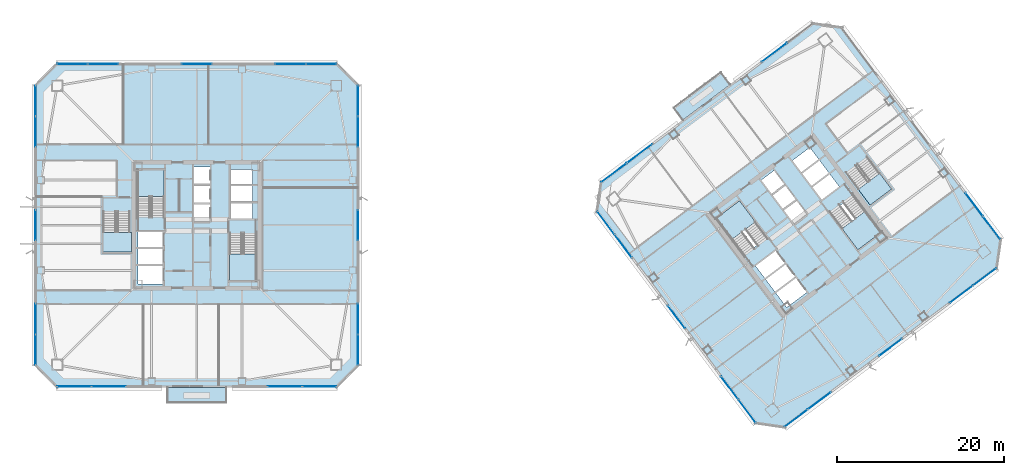
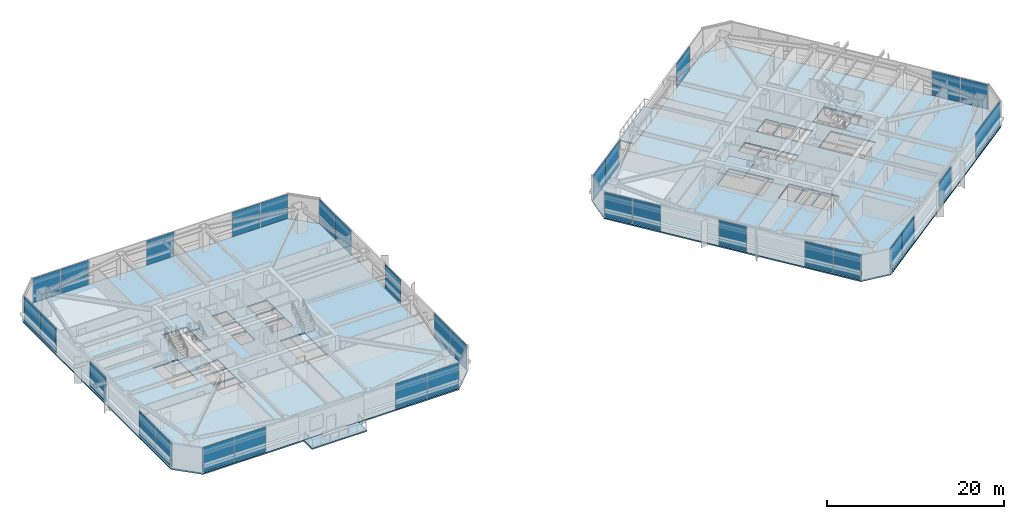
# One storey, part 34 of 48: 34 plates, 10 slabs, 26 elements without a shape of their own.
"""IFC4 building model written with IfcOpenShell, lengths in metres."""

from ifc_helpers import new_model, si_unit, direction, frame, origin, origin_2d, place, context, subcontext, project, spatial, polyline, rectangle, outline, extrude, material, layer, layer_set, type_object, element, aggregate, save


model = new_model("IFC4")

# Units and contexts
model_context = context("Model", 3, precision=1e-05, world=origin(), true_north=direction((0.0, 1.0)))
body_context = subcontext(model_context, "Body", "Model", "MODEL_VIEW")
ifc_project = project(units=[si_unit("LENGTHUNIT", "METRE"), si_unit("AREAUNIT", "SQUARE_METRE"), si_unit("VOLUMEUNIT", "CUBIC_METRE"), si_unit("PLANEANGLEUNIT", "RADIAN"), si_unit("MASSUNIT", "GRAM", prefix="KILO")], contexts=[model_context])

# Site, building, storey
site_placement = place(None, origin())
site = spatial("IfcSite", under=ifc_project, at=site_placement, CompositionType="ELEMENT")
building_placement = place(site_placement, origin())
building = spatial("IfcBuilding", under=site, at=building_placement, Name="Tashvorn Skyway Center", CompositionType="ELEMENT")
storey_placement = place(building_placement, frame((0.0, 0.0, 125.050048828125)))
storey = spatial("IfcBuildingStorey", under=building, at=storey_placement, Name="L33", CompositionType="ELEMENT", Elevation=125.050048828125)

# Curtain wall, plates
ifc_material_1 = material(Name="Thermally broken bronze-anodized aluminium 6063-T6", Category="aluminium")
curtain_wall_type = type_object("IfcCurtainWallType", Name="CW-CW-Z3", PredefinedType="NOTDEFINED", material=ifc_material_1)
curtain_wall_1_placement = place(storey_placement, origin())
curtain_wall_1 = element("IfcCurtainWall", 1, at=curtain_wall_1_placement, inside=storey, type_object=curtain_wall_type, Name="Tower 1 L33 South Curtain Wall L Glazing Group 1", PredefinedType="NOTDEFINED")
ifc_material_2 = material(Name="Low-E solar-control double insulating safety glass", Category="glass")
ifc_layer_1 = layer(ifc_material_2, 0.0400390625)
ifc_layer_set_1 = layer_set([ifc_layer_1], Name="Low-E solar-control double insulating safety glass")
plate_type = type_object("IfcPlateType", Name="CWP-CW-Z3", PredefinedType="CURTAIN_PANEL", material=ifc_layer_set_1)
plate_1_placement = place(storey_placement, frame((56.6728515625, 12.719970703125, 0.074951171875), z_axis=(0.0, 0.0, 1.0), x_axis=(-1.0, 0.0, 0.0)))
plate_1 = element("IfcPlate", 2, at=plate_1_placement, type_object=plate_type, Name="CW-Z3 panel 1.1", PredefinedType="CURTAIN_PANEL", context=body_context, shape_type="SweptSolid", body=[
    extrude(rectangle(XDim=4.064208984375, YDim=0.0400390625, at=origin_2d()), origin(), (0.0, 0.0, 1.0), 3.39990234375),
])
plate_2_placement = place(storey_placement, frame((52.53369140625, 12.719970703125, 0.074951171875), z_axis=(0.0, 0.0, 1.0), x_axis=(-1.0, 0.0, 0.0)))
plate_2 = element("IfcPlate", 3, at=plate_2_placement, type_object=plate_type, Name="CW-Z3 panel 2.1", PredefinedType="CURTAIN_PANEL", context=body_context, shape_type="SweptSolid", body=[
    extrude(rectangle(XDim=4.064208984375, YDim=0.0400390625, at=origin_2d()), origin(), (0.0, 0.0, 1.0), 3.39990234375),
])
aggregate(curtain_wall_1, [plate_1, plate_2])

curtain_wall_2_placement = place(storey_placement, origin())
curtain_wall_2 = element("IfcCurtainWall", 4, at=curtain_wall_2_placement, inside=storey, type_object=curtain_wall_type, Name="Tower 1 L33 South Curtain Wall R Glazing Group 1", PredefinedType="NOTDEFINED")
plate_3_placement = place(storey_placement, frame((31.46630859375, 12.719970703125, 0.074951171875), z_axis=(0.0, 0.0, 1.0), x_axis=(-1.0, 0.0, 0.0)))
plate_3 = element("IfcPlate", 5, at=plate_3_placement, type_object=plate_type, Name="CW-Z3 panel 1.1", PredefinedType="CURTAIN_PANEL", context=body_context, shape_type="SweptSolid", body=[
    extrude(rectangle(XDim=4.064208984375, YDim=0.0400390625, at=origin_2d()), origin(), (0.0, 0.0, 1.0), 3.39990234375),
])
plate_4_placement = place(storey_placement, frame((27.3271484375, 12.719970703125, 0.074951171875), z_axis=(0.0, 0.0, 1.0), x_axis=(-1.0, 0.0, 0.0)))
plate_4 = element("IfcPlate", 6, at=plate_4_placement, type_object=plate_type, Name="CW-Z3 panel 2.1", PredefinedType="CURTAIN_PANEL", context=body_context, shape_type="SweptSolid", body=[
    extrude(rectangle(XDim=4.064208984375, YDim=0.0400390625, at=origin_2d()), origin(), (0.0, 0.0, 1.0), 3.39990234375),
])
aggregate(curtain_wall_2, [plate_3, plate_4])

curtain_wall_3_placement = place(storey_placement, origin())
curtain_wall_3 = element("IfcCurtainWall", 7, at=curtain_wall_3_placement, inside=storey, type_object=curtain_wall_type, Name="Tower 1 L33 West Unitised Curtain Wall Glazing Group 1", PredefinedType="NOTDEFINED")
plate_5_placement = place(storey_placement, frame((22.719970703125, 17.103271484375, 0.074951171875), z_axis=(0.0, 0.0, 1.0), x_axis=(0.0, 1.0, 0.0)))
plate_5 = element("IfcPlate", 8, at=plate_5_placement, type_object=plate_type, Name="CW-Z3 panel 1.1", PredefinedType="CURTAIN_PANEL", context=body_context, shape_type="SweptSolid", body=[
    extrude(rectangle(XDim=3.616455078125, YDim=0.0400390625, at=origin_2d()), origin(), (0.0, 0.0, 1.0), 3.39990234375),
])
plate_6_placement = place(storey_placement, frame((22.719970703125, 20.794677734375, 0.074951171875), z_axis=(0.0, 0.0, 1.0), x_axis=(0.0, 1.0, 0.0)))
plate_6 = element("IfcPlate", 9, at=plate_6_placement, type_object=plate_type, Name="CW-Z3 panel 2.1", PredefinedType="CURTAIN_PANEL", context=body_context, shape_type="SweptSolid", body=[
    extrude(rectangle(XDim=3.616455078125, YDim=0.0400390625, at=origin_2d()), origin(), (0.0, 0.0, 1.0), 3.39990234375),
])
aggregate(curtain_wall_3, [plate_5, plate_6])

# Curtain wall, plate
curtain_wall_4_placement = place(storey_placement, origin())
curtain_wall_4 = element("IfcCurtainWall", 10, at=curtain_wall_4_placement, inside=storey, type_object=curtain_wall_type, Name="Tower 1 L33 West Unitised Curtain Wall Glazing Group 2", PredefinedType="NOTDEFINED")
plate_7_placement = place(storey_placement, frame((22.719970703125, 32.0, 0.074951171875), z_axis=(0.0, 0.0, 1.0), x_axis=(0.0, 1.0, 0.0)))
plate_7 = element("IfcPlate", 11, at=plate_7_placement, type_object=plate_type, Name="CW-Z3 panel 1.1", PredefinedType="CURTAIN_PANEL", context=body_context, shape_type="SweptSolid", body=[
    extrude(rectangle(XDim=3.578857421875, YDim=0.0400390625, at=origin_2d()), origin(), (0.0, 0.0, 1.0), 3.39990234375),
])
aggregate(curtain_wall_4, [plate_7])

# Curtain wall, plates
curtain_wall_5_placement = place(storey_placement, origin())
curtain_wall_5 = element("IfcCurtainWall", 12, at=curtain_wall_5_placement, inside=storey, type_object=curtain_wall_type, Name="Tower 1 L33 West Unitised Curtain Wall Glazing Group 3", PredefinedType="NOTDEFINED")
plate_8_placement = place(storey_placement, frame((22.719970703125, 43.205322265625, 0.074951171875), z_axis=(0.0, 0.0, 1.0), x_axis=(0.0, 1.0, 0.0)))
plate_8 = element("IfcPlate", 13, at=plate_8_placement, type_object=plate_type, Name="CW-Z3 panel 1.1", PredefinedType="CURTAIN_PANEL", context=body_context, shape_type="SweptSolid", body=[
    extrude(rectangle(XDim=3.616455078125, YDim=0.0400390625, at=origin_2d()), origin(), (0.0, 0.0, 1.0), 3.39990234375),
])
plate_9_placement = place(storey_placement, frame((22.719970703125, 46.896728515625, 0.074951171875), z_axis=(0.0, 0.0, 1.0), x_axis=(0.0, 1.0, 0.0)))
plate_9 = element("IfcPlate", 14, at=plate_9_placement, type_object=plate_type, Name="CW-Z3 panel 2.1", PredefinedType="CURTAIN_PANEL", context=body_context, shape_type="SweptSolid", body=[
    extrude(rectangle(XDim=3.616455078125, YDim=0.0400390625, at=origin_2d()), origin(), (0.0, 0.0, 1.0), 3.39990234375),
])
aggregate(curtain_wall_5, [plate_8, plate_9])

curtain_wall_6_placement = place(storey_placement, origin())
curtain_wall_6 = element("IfcCurtainWall", 15, at=curtain_wall_6_placement, inside=storey, type_object=curtain_wall_type, Name="Tower 1 L33 North Unitised Curtain Wall Glazing Group 1", PredefinedType="NOTDEFINED")
plate_10_placement = place(storey_placement, frame((27.103271484375, 51.280029296875, 0.074951171875), z_axis=(0.0, 0.0, 1.0), x_axis=(1.0, 0.0, 0.0)))
plate_10 = element("IfcPlate", 16, at=plate_10_placement, type_object=plate_type, Name="CW-Z3 panel 1.1", PredefinedType="CURTAIN_PANEL", context=body_context, shape_type="SweptSolid", body=[
    extrude(rectangle(XDim=3.616455078125, YDim=0.0400390625, at=origin_2d()), origin(), (0.0, 0.0, 1.0), 3.39990234375),
])
plate_11_placement = place(storey_placement, frame((30.794677734375, 51.280029296875, 0.074951171875), z_axis=(0.0, 0.0, 1.0), x_axis=(1.0, 0.0, 0.0)))
plate_11 = element("IfcPlate", 17, at=plate_11_placement, type_object=plate_type, Name="CW-Z3 panel 2.1", PredefinedType="CURTAIN_PANEL", context=body_context, shape_type="SweptSolid", body=[
    extrude(rectangle(XDim=3.616455078125, YDim=0.0400390625, at=origin_2d()), origin(), (0.0, 0.0, 1.0), 3.39990234375),
])
aggregate(curtain_wall_6, [plate_10, plate_11])

# Curtain wall, plate
curtain_wall_7_placement = place(storey_placement, origin())
curtain_wall_7 = element("IfcCurtainWall", 18, at=curtain_wall_7_placement, inside=storey, type_object=curtain_wall_type, Name="Tower 1 L33 North Unitised Curtain Wall Glazing Group 2", PredefinedType="NOTDEFINED")
plate_12_placement = place(storey_placement, frame((42.0, 51.280029296875, 0.074951171875), z_axis=(0.0, 0.0, 1.0), x_axis=(1.0, 0.0, 0.0)))
plate_12 = element("IfcPlate", 19, at=plate_12_placement, type_object=plate_type, Name="CW-Z3 panel 1.1", PredefinedType="CURTAIN_PANEL", context=body_context, shape_type="SweptSolid", body=[
    extrude(rectangle(XDim=3.578857421875, YDim=0.0400390625, at=origin_2d()), origin(), (0.0, 0.0, 1.0), 3.39990234375),
])
aggregate(curtain_wall_7, [plate_12])

# Curtain wall, plates
curtain_wall_8_placement = place(storey_placement, origin())
curtain_wall_8 = element("IfcCurtainWall", 20, at=curtain_wall_8_placement, inside=storey, type_object=curtain_wall_type, Name="Tower 1 L33 North Unitised Curtain Wall Glazing Group 3", PredefinedType="NOTDEFINED")
plate_13_placement = place(storey_placement, frame((53.205322265625, 51.280029296875, 0.074951171875), z_axis=(0.0, 0.0, 1.0), x_axis=(1.0, 0.0, 0.0)))
plate_13 = element("IfcPlate", 21, at=plate_13_placement, type_object=plate_type, Name="CW-Z3 panel 1.1", PredefinedType="CURTAIN_PANEL", context=body_context, shape_type="SweptSolid", body=[
    extrude(rectangle(XDim=3.616455078125, YDim=0.0400390625, at=origin_2d()), origin(), (0.0, 0.0, 1.0), 3.39990234375),
])
plate_14_placement = place(storey_placement, frame((56.896728515625, 51.280029296875, 0.074951171875), z_axis=(0.0, 0.0, 1.0), x_axis=(1.0, 0.0, 0.0)))
plate_14 = element("IfcPlate", 22, at=plate_14_placement, type_object=plate_type, Name="CW-Z3 panel 2.1", PredefinedType="CURTAIN_PANEL", context=body_context, shape_type="SweptSolid", body=[
    extrude(rectangle(XDim=3.616455078125, YDim=0.0400390625, at=origin_2d()), origin(), (0.0, 0.0, 1.0), 3.39990234375),
])
aggregate(curtain_wall_8, [plate_13, plate_14])

curtain_wall_9_placement = place(storey_placement, origin())
curtain_wall_9 = element("IfcCurtainWall", 23, at=curtain_wall_9_placement, inside=storey, type_object=curtain_wall_type, Name="Tower 1 L33 East Unitised Curtain Wall Glazing Group 1", PredefinedType="NOTDEFINED")
plate_15_placement = place(storey_placement, frame((61.280029296875, 46.896728515625, 0.074951171875), z_axis=(0.0, 0.0, 1.0), x_axis=(0.0, -1.0, 0.0)))
plate_15 = element("IfcPlate", 24, at=plate_15_placement, type_object=plate_type, Name="CW-Z3 panel 1.1", PredefinedType="CURTAIN_PANEL", context=body_context, shape_type="SweptSolid", body=[
    extrude(rectangle(XDim=3.616455078125, YDim=0.0400390625, at=origin_2d()), origin(), (0.0, 0.0, 1.0), 3.39990234375),
])
plate_16_placement = place(storey_placement, frame((61.280029296875, 43.205322265625, 0.074951171875), z_axis=(0.0, 0.0, 1.0), x_axis=(0.0, -1.0, 0.0)))
plate_16 = element("IfcPlate", 25, at=plate_16_placement, type_object=plate_type, Name="CW-Z3 panel 2.1", PredefinedType="CURTAIN_PANEL", context=body_context, shape_type="SweptSolid", body=[
    extrude(rectangle(XDim=3.616455078125, YDim=0.0400390625, at=origin_2d()), origin(), (0.0, 0.0, 1.0), 3.39990234375),
])
aggregate(curtain_wall_9, [plate_15, plate_16])

# Curtain wall, plate
curtain_wall_10_placement = place(storey_placement, origin())
curtain_wall_10 = element("IfcCurtainWall", 26, at=curtain_wall_10_placement, inside=storey, type_object=curtain_wall_type, Name="Tower 1 L33 East Unitised Curtain Wall Glazing Group 2", PredefinedType="NOTDEFINED")
plate_17_placement = place(storey_placement, frame((61.280029296875, 32.0, 0.074951171875), z_axis=(0.0, 0.0, 1.0), x_axis=(0.0, -1.0, 0.0)))
plate_17 = element("IfcPlate", 27, at=plate_17_placement, type_object=plate_type, Name="CW-Z3 panel 1.1", PredefinedType="CURTAIN_PANEL", context=body_context, shape_type="SweptSolid", body=[
    extrude(rectangle(XDim=3.578857421875, YDim=0.0400390625, at=origin_2d()), origin(), (0.0, 0.0, 1.0), 3.39990234375),
])
aggregate(curtain_wall_10, [plate_17])

# Curtain wall, plates
curtain_wall_11_placement = place(storey_placement, origin())
curtain_wall_11 = element("IfcCurtainWall", 28, at=curtain_wall_11_placement, inside=storey, type_object=curtain_wall_type, Name="Tower 1 L33 East Unitised Curtain Wall Glazing Group 3", PredefinedType="NOTDEFINED")
plate_18_placement = place(storey_placement, frame((61.280029296875, 20.794677734375, 0.074951171875), z_axis=(0.0, 0.0, 1.0), x_axis=(0.0, -1.0, 0.0)))
plate_18 = element("IfcPlate", 29, at=plate_18_placement, type_object=plate_type, Name="CW-Z3 panel 1.1", PredefinedType="CURTAIN_PANEL", context=body_context, shape_type="SweptSolid", body=[
    extrude(rectangle(XDim=3.616455078125, YDim=0.0400390625, at=origin_2d()), origin(), (0.0, 0.0, 1.0), 3.39990234375),
])
plate_19_placement = place(storey_placement, frame((61.280029296875, 17.103271484375, 0.074951171875), z_axis=(0.0, 0.0, 1.0), x_axis=(0.0, -1.0, 0.0)))
plate_19 = element("IfcPlate", 30, at=plate_19_placement, type_object=plate_type, Name="CW-Z3 panel 2.1", PredefinedType="CURTAIN_PANEL", context=body_context, shape_type="SweptSolid", body=[
    extrude(rectangle(XDim=3.616455078125, YDim=0.0400390625, at=origin_2d()), origin(), (0.0, 0.0, 1.0), 3.39990234375),
])
aggregate(curtain_wall_11, [plate_18, plate_19])

curtain_wall_12_placement = place(storey_placement, origin())
curtain_wall_12 = element("IfcCurtainWall", 31, at=curtain_wall_12_placement, inside=storey, type_object=curtain_wall_type, Name="Tower 2 L33 South Unitised Curtain Wall Glazing Group 1", PredefinedType="NOTDEFINED")
plate_20_placement = place(storey_placement, frame((136.245361328125, 25.833984375, 0.074951171875), z_axis=(0.0, 0.0, 1.0), x_axis=(-0.799996599484, -0.600004533995, 0.0)))
plate_20 = element("IfcPlate", 32, at=plate_20_placement, type_object=plate_type, Name="CW-Z3 panel 1.1", PredefinedType="CURTAIN_PANEL", context=body_context, shape_type="SweptSolid", body=[
    extrude(rectangle(XDim=3.41650390625, YDim=0.0400390625, at=origin_2d()), origin(), (0.0, 0.0, 1.0), 3.39990234375),
])
plate_21_placement = place(storey_placement, frame((133.452392578125, 23.7392578125, 0.074951171875), z_axis=(0.0, 0.0, 1.0), x_axis=(-0.799996599484, -0.600004533995, 0.0)))
plate_21 = element("IfcPlate", 33, at=plate_21_placement, type_object=plate_type, Name="CW-Z3 panel 2.1", PredefinedType="CURTAIN_PANEL", context=body_context, shape_type="SweptSolid", body=[
    extrude(rectangle(XDim=3.41650390625, YDim=0.0400390625, at=origin_2d()), origin(), (0.0, 0.0, 1.0), 3.39990234375),
])
aggregate(curtain_wall_12, [plate_20, plate_21])

# Curtain wall, plate
curtain_wall_13_placement = place(storey_placement, origin())
curtain_wall_13 = element("IfcCurtainWall", 34, at=curtain_wall_13_placement, inside=storey, type_object=curtain_wall_type, Name="Tower 2 L33 South Unitised Curtain Wall Glazing Group 2", PredefinedType="NOTDEFINED")
plate_22_placement = place(storey_placement, frame((124.968017578125, 17.3759765625, 0.074951171875), z_axis=(0.0, 0.0, 1.0), x_axis=(-0.799999999998, -0.600000000002, 0.0)))
plate_22 = element("IfcPlate", 35, at=plate_22_placement, type_object=plate_type, Name="CW-Z3 panel 1.1", PredefinedType="CURTAIN_PANEL", context=body_context, shape_type="SweptSolid", body=[
    extrude(rectangle(XDim=3.37890625, YDim=0.0400390625, at=origin_2d()), origin(), (0.0, 0.0, 1.0), 3.39990234375),
])
aggregate(curtain_wall_13, [plate_22])

# Curtain wall, plates
curtain_wall_14_placement = place(storey_placement, origin())
curtain_wall_14 = element("IfcCurtainWall", 36, at=curtain_wall_14_placement, inside=storey, type_object=curtain_wall_type, Name="Tower 2 L33 South Unitised Curtain Wall Glazing Group 3", PredefinedType="NOTDEFINED")
plate_23_placement = place(storey_placement, frame((116.483642578125, 11.0126953125, 0.074951171875), z_axis=(0.0, 0.0, 1.0), x_axis=(-0.799996599484, -0.600004533995, 0.0)))
plate_23 = element("IfcPlate", 37, at=plate_23_placement, type_object=plate_type, Name="CW-Z3 panel 1.1", PredefinedType="CURTAIN_PANEL", context=body_context, shape_type="SweptSolid", body=[
    extrude(rectangle(XDim=3.41650390625, YDim=0.0400390625, at=origin_2d()), origin(), (0.0, 0.0, 1.0), 3.39990234375),
])
plate_24_placement = place(storey_placement, frame((113.6904296875, 8.91796875, 0.074951171875), z_axis=(0.0, 0.0, 1.0), x_axis=(-0.799996599484, -0.600004533995, 0.0)))
plate_24 = element("IfcPlate", 38, at=plate_24_placement, type_object=plate_type, Name="CW-Z3 panel 2.1", PredefinedType="CURTAIN_PANEL", context=body_context, shape_type="SweptSolid", body=[
    extrude(rectangle(XDim=3.41650390625, YDim=0.0400390625, at=origin_2d()), origin(), (0.0, 0.0, 1.0), 3.39990234375),
])
aggregate(curtain_wall_14, [plate_23, plate_24])

curtain_wall_15_placement = place(storey_placement, origin())
curtain_wall_15 = element("IfcCurtainWall", 39, at=curtain_wall_15_placement, inside=storey, type_object=curtain_wall_type, Name="Tower 2 L33 West Unitised Curtain Wall Glazing Group 1", PredefinedType="NOTDEFINED")
plate_25_placement = place(storey_placement, frame((107.833984375, 9.754638671875, 0.074951171875), z_axis=(0.0, 0.0, 1.0), x_axis=(-0.600004533995, 0.799996599484, 0.0)))
plate_25 = element("IfcPlate", 40, at=plate_25_placement, type_object=plate_type, Name="CW-Z3 panel 1.1", PredefinedType="CURTAIN_PANEL", context=body_context, shape_type="SweptSolid", body=[
    extrude(rectangle(XDim=3.41650390625, YDim=0.0400390625, at=origin_2d()), origin(), (0.0, 0.0, 1.0), 3.39990234375),
])
plate_26_placement = place(storey_placement, frame((105.7392578125, 12.547607421875, 0.074951171875), z_axis=(0.0, 0.0, 1.0), x_axis=(-0.600004533995, 0.799996599484, 0.0)))
plate_26 = element("IfcPlate", 41, at=plate_26_placement, type_object=plate_type, Name="CW-Z3 panel 2.1", PredefinedType="CURTAIN_PANEL", context=body_context, shape_type="SweptSolid", body=[
    extrude(rectangle(XDim=3.41650390625, YDim=0.0400390625, at=origin_2d()), origin(), (0.0, 0.0, 1.0), 3.39990234375),
])
aggregate(curtain_wall_15, [plate_25, plate_26])

# Curtain wall, plate
curtain_wall_16_placement = place(storey_placement, origin())
curtain_wall_16 = element("IfcCurtainWall", 42, at=curtain_wall_16_placement, inside=storey, type_object=curtain_wall_type, Name="Tower 2 L33 West Unitised Curtain Wall Glazing Group 2", PredefinedType="NOTDEFINED")
plate_27_placement = place(storey_placement, frame((99.3759765625, 21.031982421875, 0.074951171875), z_axis=(0.0, 0.0, 1.0), x_axis=(-0.600000000002, 0.799999999998, 0.0)))
plate_27 = element("IfcPlate", 43, at=plate_27_placement, type_object=plate_type, Name="CW-Z3 panel 1.1", PredefinedType="CURTAIN_PANEL", context=body_context, shape_type="SweptSolid", body=[
    extrude(rectangle(XDim=3.37890625, YDim=0.0400390625, at=origin_2d()), origin(), (0.0, 0.0, 1.0), 3.39990234375),
])
aggregate(curtain_wall_16, [plate_27])

# Curtain wall, plates
curtain_wall_17_placement = place(storey_placement, origin())
curtain_wall_17 = element("IfcCurtainWall", 44, at=curtain_wall_17_placement, inside=storey, type_object=curtain_wall_type, Name="Tower 2 L33 West Unitised Curtain Wall Glazing Group 3", PredefinedType="NOTDEFINED")
plate_28_placement = place(storey_placement, frame((93.0126953125, 29.516357421875, 0.074951171875), z_axis=(0.0, 0.0, 1.0), x_axis=(-0.600004533995, 0.799996599484, 0.0)))
plate_28 = element("IfcPlate", 45, at=plate_28_placement, type_object=plate_type, Name="CW-Z3 panel 1.1", PredefinedType="CURTAIN_PANEL", context=body_context, shape_type="SweptSolid", body=[
    extrude(rectangle(XDim=3.41650390625, YDim=0.0400390625, at=origin_2d()), origin(), (0.0, 0.0, 1.0), 3.39990234375),
])
plate_29_placement = place(storey_placement, frame((90.91796875, 32.3095703125, 0.074951171875), z_axis=(0.0, 0.0, 1.0), x_axis=(-0.600004533995, 0.799996599484, 0.0)))
plate_29 = element("IfcPlate", 46, at=plate_29_placement, type_object=plate_type, Name="CW-Z3 panel 2.1", PredefinedType="CURTAIN_PANEL", context=body_context, shape_type="SweptSolid", body=[
    extrude(rectangle(XDim=3.41650390625, YDim=0.0400390625, at=origin_2d()), origin(), (0.0, 0.0, 1.0), 3.39990234375),
])
aggregate(curtain_wall_17, [plate_28, plate_29])

curtain_wall_18_placement = place(storey_placement, origin())
curtain_wall_18 = element("IfcCurtainWall", 47, at=curtain_wall_18_placement, inside=storey, type_object=curtain_wall_type, Name="Tower 2 L33 North Curtain Wall L Glazing Group 1", PredefinedType="NOTDEFINED")
plate_30_placement = place(storey_placement, frame((91.8935546875, 38.270263671875, 0.074951171875), z_axis=(0.0, 0.0, 1.0), x_axis=(0.800001547712, 0.599997936379, 0.0)))
plate_30 = element("IfcPlate", 48, at=plate_30_placement, type_object=plate_type, Name="CW-Z3 panel 1.1", PredefinedType="CURTAIN_PANEL", context=body_context, shape_type="SweptSolid", body=[
    extrude(rectangle(XDim=3.76416015625, YDim=0.0400390625, at=origin_2d()), origin(), (0.0, 0.0, 1.0), 3.39990234375),
])
plate_31_placement = place(storey_placement, frame((94.965087890625, 40.57373046875, 0.074951171875), z_axis=(0.0, 0.0, 1.0), x_axis=(0.800001547712, 0.599997936379, 0.0)))
plate_31 = element("IfcPlate", 49, at=plate_31_placement, type_object=plate_type, Name="CW-Z3 panel 2.1", PredefinedType="CURTAIN_PANEL", context=body_context, shape_type="SweptSolid", body=[
    extrude(rectangle(XDim=3.76416015625, YDim=0.0400390625, at=origin_2d()), origin(), (0.0, 0.0, 1.0), 3.39990234375),
])
aggregate(curtain_wall_18, [plate_30, plate_31])

# Curtain wall, plate
curtain_wall_19_placement = place(storey_placement, origin())
curtain_wall_19 = element("IfcCurtainWall", 50, at=curtain_wall_19_placement, inside=storey, type_object=curtain_wall_type, Name="Tower 2 L33 North Curtain Wall R Glazing Group 1", PredefinedType="NOTDEFINED")
plate_32_placement = place(storey_placement, frame((111.098876953125, 52.67431640625, 0.074951171875), z_axis=(0.0, 0.0, 1.0), x_axis=(0.800001547712, 0.599997936379, 0.0)))
plate_32 = element("IfcPlate", 51, at=plate_32_placement, type_object=plate_type, Name="CW-Z3 panel 1.1", PredefinedType="CURTAIN_PANEL", context=body_context, shape_type="SweptSolid", body=[
    extrude(rectangle(XDim=3.76416015625, YDim=0.0400390625, at=origin_2d()), origin(), (0.0, 0.0, 1.0), 3.39990234375),
])
aggregate(curtain_wall_19, [plate_32])

# Curtain wall, plates
curtain_wall_20_placement = place(storey_placement, origin())
curtain_wall_20 = element("IfcCurtainWall", 52, at=curtain_wall_20_placement, inside=storey, type_object=curtain_wall_type, Name="Tower 2 L33 East Unitised Curtain Wall Glazing Group 3", PredefinedType="NOTDEFINED")
plate_33_placement = place(storey_placement, frame((134.9873046875, 34.483642578125, 0.074951171875), z_axis=(0.0, 0.0, 1.0), x_axis=(0.600004533995, -0.799996599484, 0.0)))
plate_33 = element("IfcPlate", 53, at=plate_33_placement, type_object=plate_type, Name="CW-Z3 panel 1.1", PredefinedType="CURTAIN_PANEL", context=body_context, shape_type="SweptSolid", body=[
    extrude(rectangle(XDim=3.41650390625, YDim=0.0400390625, at=origin_2d()), origin(), (0.0, 0.0, 1.0), 3.39990234375),
])
plate_34_placement = place(storey_placement, frame((137.08203125, 31.6904296875, 0.074951171875), z_axis=(0.0, 0.0, 1.0), x_axis=(0.600004533995, -0.799996599484, 0.0)))
plate_34 = element("IfcPlate", 54, at=plate_34_placement, type_object=plate_type, Name="CW-Z3 panel 2.1", PredefinedType="CURTAIN_PANEL", context=body_context, shape_type="SweptSolid", body=[
    extrude(rectangle(XDim=3.41650390625, YDim=0.0400390625, at=origin_2d()), origin(), (0.0, 0.0, 1.0), 3.39990234375),
])
aggregate(curtain_wall_20, [plate_33, plate_34])

# Slabs
ifc_material_3 = material(Name="Concrete C40/50", Category="concrete")
ifc_layer_2 = layer(ifc_material_3, 0.179931640625)
ifc_layer_set_2 = layer_set([ifc_layer_2], Name="Concrete C40/50")
slab_type_1 = type_object("IfcSlabType", Name="SLAB-FLR-180", PredefinedType="FLOOR", material=ifc_layer_set_2)
slab_1_placement = place(storey_placement, frame((0.0, 0.0, -0.179931640625)))
element("IfcSlab", 55, at=slab_1_placement, inside=storey, type_object=slab_type_1, Name="Tower 1 L33 Composite Floor Slab", PredefinedType="FLOOR", context=body_context, shape_type="SweptSolid", body=[
    extrude(outline(polyline([(25.300048828125, 12.60009765625), (58.699951171875, 12.60009765625), (61.39990234375, 15.300048828125), (61.39990234375, 48.699951171875), (58.699951171875, 51.39990234375), (25.300048828125, 51.39990234375), (22.60009765625, 48.699951171875), (22.60009765625, 15.300048828125), (25.300048828125, 12.60009765625)]), holes=[polyline([(38.10009765625, 33.080078125), (38.10009765625, 38.60009765625), (34.89990234375, 38.60009765625), (34.89990234375, 33.080078125), (38.10009765625, 33.080078125)]), polyline([(45.89990234375, 30.919921875), (45.89990234375, 25.39990234375), (49.10009765625, 25.39990234375), (49.10009765625, 30.919921875), (45.89990234375, 30.919921875)]), polyline([(30.800048828125, 33.52001953125), (30.800048828125, 28.800048828125), (34.0, 28.800048828125), (34.0, 33.52001953125), (30.800048828125, 33.52001953125)]), polyline([(34.949951171875, 29.35009765625), (37.949951171875, 29.35009765625), (37.949951171875, 31.199951171875), (34.949951171875, 31.199951171875), (34.949951171875, 29.35009765625)]), polyline([(34.949951171875, 27.35009765625), (37.949951171875, 27.35009765625), (37.949951171875, 29.199951171875), (34.949951171875, 29.199951171875), (34.949951171875, 27.35009765625)]), polyline([(34.949951171875, 25.0), (37.949951171875, 25.0), (37.949951171875, 27.14990234375), (34.949951171875, 27.14990234375), (34.949951171875, 25.0)]), polyline([(41.64990234375, 32.449951171875), (43.550048828125, 32.449951171875), (43.550048828125, 34.5), (41.64990234375, 34.5), (41.64990234375, 32.449951171875)]), polyline([(41.64990234375, 34.699951171875), (43.550048828125, 34.699951171875), (43.550048828125, 36.75), (41.64990234375, 36.75), (41.64990234375, 34.699951171875)]), polyline([(41.64990234375, 36.949951171875), (43.550048828125, 36.949951171875), (43.550048828125, 39.0), (41.64990234375, 39.0), (41.64990234375, 36.949951171875)]), polyline([(46.050048828125, 32.800048828125), (48.64990234375, 32.800048828125), (48.64990234375, 34.64990234375), (46.050048828125, 34.64990234375), (46.050048828125, 32.800048828125)]), polyline([(46.050048828125, 34.85009765625), (48.64990234375, 34.85009765625), (48.64990234375, 36.699951171875), (46.050048828125, 36.699951171875), (46.050048828125, 34.85009765625)]), polyline([(46.050048828125, 36.89990234375), (48.64990234375, 36.89990234375), (48.64990234375, 38.64990234375), (46.050048828125, 38.64990234375), (46.050048828125, 36.89990234375)])]), origin(), (0.0, 0.0, 1.0), 0.179931640625),
])
slab_2_placement = place(storey_placement, frame((0.0, 0.0, -0.179931640625)))
element("IfcSlab", 56, at=slab_2_placement, inside=storey, type_object=slab_type_1, Name="Tower 2 L33 Composite Floor Slab", PredefinedType="FLOOR", context=body_context, shape_type="SweptSolid", body=[
    extrude(outline(polyline([(112.39990234375, 7.800048828125), (137.679931640625, 26.760009765625), (138.199951171875, 30.39990234375), (119.239990234375, 55.679931640625), (115.60009765625, 56.199951171875), (90.320068359375, 37.239990234375), (89.800048828125, 33.60009765625), (108.760009765625, 8.320068359375), (112.39990234375, 7.800048828125)]), holes=[polyline([(110.23193359375, 30.52392578125), (106.919921875, 34.93994140625), (104.135986328125, 32.85205078125), (107.447998046875, 28.43603515625), (110.23193359375, 30.52392578125)]), polyline([(117.76806640625, 33.47607421875), (121.080078125, 29.06005859375), (123.864013671875, 31.14794921875), (120.552001953125, 35.56396484375), (117.76806640625, 33.47607421875)]), polyline([(119.7119140625, 38.18408203125), (122.5439453125, 34.407958984375), (125.10400390625, 36.327880859375), (122.27197265625, 40.10400390625), (119.7119140625, 38.18408203125)]), polyline([(109.949951171875, 25.64990234375), (112.35009765625, 27.449951171875), (111.239990234375, 28.929931640625), (108.840087890625, 27.1298828125), (109.949951171875, 25.64990234375)]), polyline([(111.14990234375, 24.050048828125), (113.550048828125, 25.85009765625), (112.43994140625, 27.330078125), (110.0400390625, 25.530029296875), (111.14990234375, 24.050048828125)]), polyline([(112.56005859375, 22.169921875), (114.9599609375, 23.969970703125), (113.669921875, 25.68994140625), (111.27001953125, 23.889892578125), (112.56005859375, 22.169921875)]), polyline([(113.449951171875, 32.14990234375), (114.969970703125, 33.2900390625), (113.739990234375, 34.929931640625), (112.219970703125, 33.7900390625), (113.449951171875, 32.14990234375)]), polyline([(112.10009765625, 33.949951171875), (113.6201171875, 35.090087890625), (112.389892578125, 36.72998046875), (110.8701171875, 35.590087890625), (112.10009765625, 33.949951171875)]), polyline([(110.75, 35.75), (112.27001953125, 36.889892578125), (111.0400390625, 38.530029296875), (109.52001953125, 37.389892578125), (110.75, 35.75)]), polyline([(116.760009765625, 35.070068359375), (118.840087890625, 36.6298828125), (117.72998046875, 38.110107421875), (115.64990234375, 36.550048828125), (116.760009765625, 35.070068359375)]), polyline([(115.530029296875, 36.7099609375), (117.610107421875, 38.27001953125), (116.5, 39.75), (114.419921875, 38.18994140625), (115.530029296875, 36.7099609375)]), polyline([(114.300048828125, 38.35009765625), (116.3798828125, 39.909912109375), (115.330078125, 41.31005859375), (113.25, 39.75), (114.300048828125, 38.35009765625)])]), origin(), (0.0, 0.0, 1.0), 0.179931640625),
])

# Stair, slab
stair_type = type_object("IfcStairType", Name="STAIR-CORE-1500", PredefinedType="HALF_TURN_STAIR", material=ifc_material_3)
stair_1_placement = place(storey_placement, origin())
stair_1 = element("IfcStair", 57, at=stair_1_placement, inside=storey, type_object=stair_type, Name="L33 Tower 1 Exit Stair 1", PredefinedType="HALF_TURN_STAIR")
ifc_layer_3 = layer(ifc_material_3, 0.199951171875)
ifc_layer_set_3 = layer_set([ifc_layer_3], Name="Concrete C40/50")
slab_type_2 = type_object("IfcSlabType", Name="SLAB-LAND-200", PredefinedType="LANDING", material=ifc_layer_set_3)
slab_3_placement = place(storey_placement, frame((0.0, 0.0, 1.574951171875)))
slab_3 = element("IfcSlab", 58, at=slab_3_placement, type_object=slab_type_2, Name="ST-T1-1 landing 1", PredefinedType="LANDING", context=body_context, shape_type="SweptSolid", body=[
    extrude(outline(polyline([(38.10009765625, 35.43994140625), (38.10009765625, 38.60009765625), (34.89990234375, 38.60009765625), (34.89990234375, 35.43994140625), (38.10009765625, 35.43994140625)])), origin(), (0.0, 0.0, 1.0), 0.199951171875),
])
aggregate(stair_1, [slab_3])

stair_2_placement = place(storey_placement, origin())
stair_2 = element("IfcStair", 59, at=stair_2_placement, inside=storey, type_object=stair_type, Name="L33 Tower 1 Exit Stair 2", PredefinedType="HALF_TURN_STAIR")
slab_4_placement = place(storey_placement, frame((0.0, 0.0, 1.574951171875)))
slab_4 = element("IfcSlab", 60, at=slab_4_placement, type_object=slab_type_2, Name="ST-T1-2 landing 1", PredefinedType="LANDING", context=body_context, shape_type="SweptSolid", body=[
    extrude(outline(polyline([(45.89990234375, 28.56005859375), (45.89990234375, 25.39990234375), (49.10009765625, 25.39990234375), (49.10009765625, 28.56005859375), (45.89990234375, 28.56005859375)])), origin(), (0.0, 0.0, 1.0), 0.199951171875),
])
aggregate(stair_2, [slab_4])

stair_3_placement = place(storey_placement, origin())
stair_3 = element("IfcStair", 61, at=stair_3_placement, inside=storey, type_object=stair_type, Name="L33 Tower 2 Exit Stair 1", PredefinedType="HALF_TURN_STAIR")
slab_5_placement = place(storey_placement, frame((0.0, 0.0, 1.574951171875)))
slab_5 = element("IfcSlab", 62, at=slab_5_placement, type_object=slab_type_2, Name="ST-T2-1 landing 1", PredefinedType="LANDING", context=body_context, shape_type="SweptSolid", body=[
    extrude(outline(polyline([(108.82080078125, 32.405517578125), (106.919921875, 34.93994140625), (104.135986328125, 32.85205078125), (106.036865234375, 30.317626953125), (108.82080078125, 32.405517578125)])), origin(), (0.0, 0.0, 1.0), 0.199951171875),
])
aggregate(stair_3, [slab_5])

stair_4_placement = place(storey_placement, origin())
stair_4 = element("IfcStair", 63, at=stair_4_placement, inside=storey, type_object=stair_type, Name="L33 Tower 2 Exit Stair 2", PredefinedType="HALF_TURN_STAIR")
slab_6_placement = place(storey_placement, frame((0.0, 0.0, 1.574951171875)))
slab_6 = element("IfcSlab", 64, at=slab_6_placement, type_object=slab_type_2, Name="ST-T2-2 landing 1", PredefinedType="LANDING", context=body_context, shape_type="SweptSolid", body=[
    extrude(outline(polyline([(119.17919921875, 31.594482421875), (121.080078125, 29.06005859375), (123.864013671875, 31.14794921875), (121.963134765625, 33.682373046875), (119.17919921875, 31.594482421875)])), origin(), (0.0, 0.0, 1.0), 0.199951171875),
])
aggregate(stair_4, [slab_6])

stair_5_placement = place(storey_placement, origin())
stair_5 = element("IfcStair", 65, at=stair_5_placement, inside=storey, type_object=stair_type, Name="L33 Tower 1 Exit Stair 3", PredefinedType="HALF_TURN_STAIR")
slab_7_placement = place(storey_placement, frame((0.0, 0.0, 1.574951171875)))
slab_7 = element("IfcSlab", 66, at=slab_7_placement, type_object=slab_type_2, Name="ST-T1-3 landing 1", PredefinedType="LANDING", context=body_context, shape_type="SweptSolid", body=[
    extrude(outline(polyline([(30.800048828125, 31.159912109375), (30.800048828125, 28.800048828125), (34.199951171875, 28.800048828125), (34.199951171875, 31.159912109375), (30.800048828125, 31.159912109375)])), origin(), (0.0, 0.0, 1.0), 0.199951171875),
])
aggregate(stair_5, [slab_7])

stair_6_placement = place(storey_placement, origin())
stair_6 = element("IfcStair", 67, at=stair_6_placement, inside=storey, type_object=stair_type, Name="L33 Tower 2 Exit Stair 3", PredefinedType="HALF_TURN_STAIR")
slab_8_placement = place(storey_placement, frame((0.0, 0.0, 1.574951171875)))
slab_8 = element("IfcSlab", 68, at=slab_8_placement, type_object=slab_type_2, Name="ST-T2-3 landing 1", PredefinedType="LANDING", context=body_context, shape_type="SweptSolid", body=[
    extrude(outline(polyline([(121.123291015625, 36.302490234375), (122.5439453125, 34.407958984375), (125.10400390625, 36.327880859375), (123.68310546875, 38.222412109375), (121.123291015625, 36.302490234375)])), origin(), (0.0, 0.0, 1.0), 0.199951171875),
])
aggregate(stair_6, [slab_8])

# Slabs
ifc_layer_4 = layer(ifc_material_3, 0.179931640625)
ifc_layer_set_4 = layer_set([ifc_layer_4], Name="Concrete C40/50")
slab_type_3 = type_object("IfcSlabType", Name="SLAB-TERR-200", PredefinedType="FLOOR", material=ifc_layer_set_4)
slab_9_placement = place(storey_placement, frame((0.0, 0.0, -0.179931640625)))
element("IfcSlab", 69, at=slab_9_placement, inside=storey, type_object=slab_type_3, Name="Tower 1 L33 Spiral Planted Terrace Slab", PredefinedType="FLOOR", context=body_context, shape_type="SweptSolid", body=[
    extrude(outline(polyline([(38.39990234375, 10.699951171875), (45.60009765625, 10.699951171875), (45.60009765625, 12.610107421875), (38.39990234375, 12.610107421875), (38.39990234375, 10.699951171875)])), origin(), (0.0, 0.0, 1.0), 0.179931640625),
])
slab_10_placement = place(storey_placement, frame((0.0, 0.0, -0.179931640625)))
element("IfcSlab", 70, at=slab_10_placement, inside=storey, type_object=slab_type_3, Name="Tower 2 L33 Spiral Planted Terrace Slab", PredefinedType="FLOOR", context=body_context, shape_type="SweptSolid", body=[
    extrude(outline(polyline([(100.0859375, 44.552001953125), (105.845947265625, 48.8720703125), (104.699951171875, 50.39990234375), (98.93994140625, 46.080078125), (100.0859375, 44.552001953125)])), origin(), (0.0, 0.0, 1.0), 0.179931640625),
])

save(model, "model.ifc")
